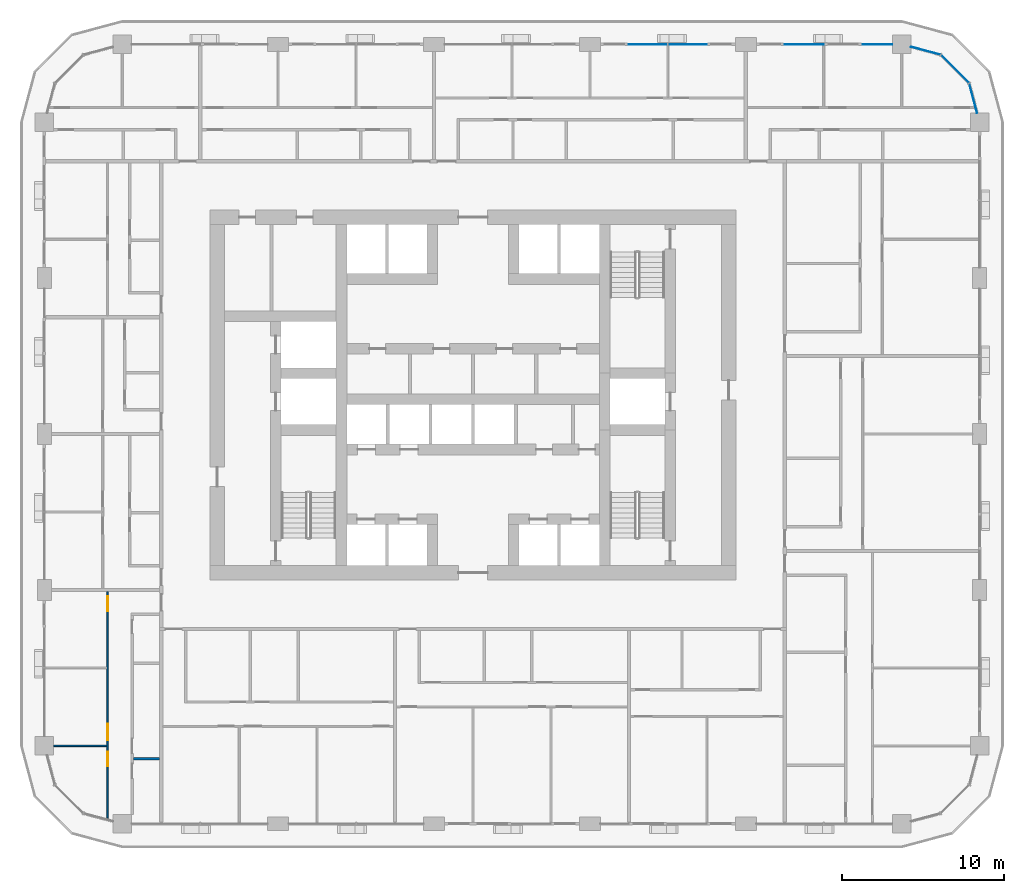
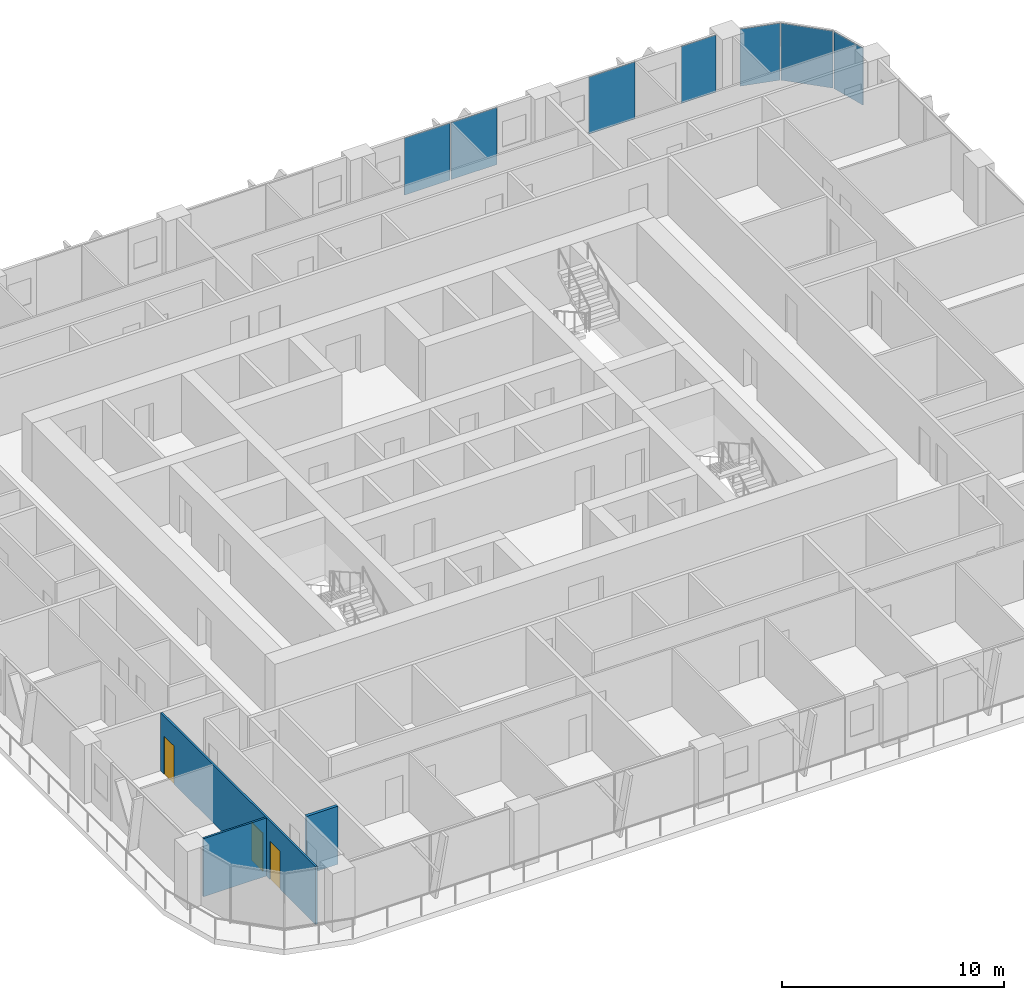
# One storey, part 8 of 22: 7 plates, 3 doors, 3 walls, 3 openings, 3 elements without a shape of their own.
"""IFC4 building model written with IfcOpenShell, lengths in metres."""

from ifc_helpers import new_model, si_unit, direction, frame, frame_2d, origin, origin_2d, place, context, subcontext, project, spatial, rectangle, extrude, material, layer, layer_set, type_object, element, fill, aggregate, save


model = new_model("IFC4")

# Units and contexts
model_context = context("Model", 3, precision=1e-05, world=origin(), true_north=direction((0.0, 1.0)))
body_context = subcontext(model_context, "Body", "Model", "MODEL_VIEW")
ifc_project = project(units=[si_unit("LENGTHUNIT", "METRE"), si_unit("AREAUNIT", "SQUARE_METRE"), si_unit("VOLUMEUNIT", "CUBIC_METRE"), si_unit("PLANEANGLEUNIT", "RADIAN"), si_unit("MASSUNIT", "GRAM", prefix="KILO")], contexts=[model_context])

# Site, building, storey
site_placement = place(None, origin())
site = spatial("IfcSite", under=ifc_project, at=site_placement, CompositionType="ELEMENT")
building_placement = place(site_placement, origin())
building = spatial("IfcBuilding", under=site, at=building_placement, Name="Madar Terraces", CompositionType="ELEMENT")
storey_placement = place(building_placement, frame((0.0, 0.0, 59.300048828125)))
storey = spatial("IfcBuildingStorey", under=building, at=storey_placement, Name="L14", CompositionType="ELEMENT", Elevation=59.300048828125)

# Curtain wall, plates
ifc_material_1 = material(Name="Glass, ceramic frit dark grey, with black aluminium frame", Category="aluminium")
ifc_layer_1 = layer(ifc_material_1, 0.199951171875)
ifc_layer_set_1 = layer_set([ifc_layer_1], Name="Facade curtain wall, fritted glass")
curtain_wall_type = type_object("IfcCurtainWallType", Name="Facade curtain wall, fritted glass", PredefinedType="NOTDEFINED", material=ifc_layer_set_1)
curtain_wall_1_placement = place(storey_placement, origin())
curtain_wall_1 = element("IfcCurtainWall", 1, at=curtain_wall_1_placement, inside=storey, type_object=curtain_wall_type, Name="Outer skin curtain wall north bay 1", PredefinedType="NOTDEFINED")
ifc_material_2 = material(Name="Glass, ceramic frit dark grey", Category="glass")
ifc_layer_2 = layer(ifc_material_2, 0.028076171875)
ifc_layer_set_2 = layer_set([ifc_layer_2], Name="Facade glass panel 28")
plate_type = type_object("IfcPlateType", Name="Facade glass panel 28", PredefinedType="CURTAIN_PANEL", material=ifc_layer_set_2)
plate_1_placement = place(storey_placement, frame((56.112548828125, 48.0, 0.0), z_axis=(0.0, 0.0, 1.0), x_axis=(-1.0, 0.0, 0.0)))
plate_1 = element("IfcPlate", 2, at=plate_1_placement, type_object=plate_type, Name="Panel 1", PredefinedType="CURTAIN_PANEL", context=body_context, shape_type="SweptSolid", body=[
    extrude(rectangle(XDim=1.824951171875, YDim=0.028076171875, at=origin_2d()), origin(), (0.0, 0.0, 1.0), 3.139892578125),
])
plate_2_placement = place(storey_placement, frame((51.60009765625, 48.0, 0.0), z_axis=(0.0, 0.0, 1.0), x_axis=(-1.0, 0.0, 0.0)))
plate_2 = element("IfcPlate", 3, at=plate_2_placement, type_object=plate_type, Name="Panel 2", PredefinedType="CURTAIN_PANEL", context=body_context, shape_type="SweptSolid", body=[
    extrude(rectangle(XDim=2.39990234375, YDim=0.028076171875, at=origin_2d()), origin(), (0.0, 0.0, 1.0), 3.139892578125),
])
aggregate(curtain_wall_1, [plate_1, plate_2])

curtain_wall_2_placement = place(storey_placement, origin())
curtain_wall_2 = element("IfcCurtainWall", 4, at=curtain_wall_2_placement, inside=storey, type_object=curtain_wall_type, Name="Outer skin curtain wall north bay 2", PredefinedType="NOTDEFINED")
plate_3_placement = place(storey_placement, frame((44.4150390625, 48.0, 0.0), z_axis=(0.0, 0.0, 1.0), x_axis=(-1.0, 0.0, 0.0)))
plate_3 = element("IfcPlate", 5, at=plate_3_placement, type_object=plate_type, Name="Panel 1", PredefinedType="CURTAIN_PANEL", context=body_context, shape_type="SweptSolid", body=[
    extrude(rectangle(XDim=2.3701171875, YDim=0.028076171875, at=origin_2d()), origin(), (0.0, 0.0, 1.0), 3.139892578125),
])
plate_4_placement = place(storey_placement, frame((41.985107421875, 48.0, 0.0), z_axis=(0.0, 0.0, 1.0), x_axis=(-1.0, 0.0, 0.0)))
plate_4 = element("IfcPlate", 6, at=plate_4_placement, type_object=plate_type, Name="Panel 2", PredefinedType="CURTAIN_PANEL", context=body_context, shape_type="SweptSolid", body=[
    extrude(rectangle(XDim=2.3701171875, YDim=0.028076171875, at=origin_2d()), origin(), (0.0, 0.0, 1.0), 3.139892578125),
])
aggregate(curtain_wall_2, [plate_3, plate_4])

curtain_wall_3_placement = place(storey_placement, origin())
curtain_wall_3 = element("IfcCurtainWall", 7, at=curtain_wall_3_placement, inside=storey, type_object=curtain_wall_type, Name="Outer skin curtain wall north-east corner", PredefinedType="NOTDEFINED")
plate_5_placement = place(storey_placement, frame((62.00537109375, 44.673095703125, 0.0), z_axis=(0.0, 0.0, 1.0), x_axis=(-0.258819021888, 0.965925832509, 0.0)))
plate_5 = element("IfcPlate", 8, at=plate_5_placement, type_object=plate_type, Name="Panel 1", PredefinedType="CURTAIN_PANEL", context=body_context, shape_type="SweptSolid", body=[
    extrude(rectangle(XDim=1.859375, YDim=0.028076171875, at=origin_2d()), origin(), (0.0, 0.0, 1.0), 3.139892578125),
])
plate_6_placement = place(storey_placement, frame((60.87841796875, 46.478515625, 0.0), z_axis=(0.0, 0.0, 1.0), x_axis=(-0.707106781187, 0.707106781187, 0.0)))
plate_6 = element("IfcPlate", 9, at=plate_6_placement, type_object=plate_type, Name="Panel 2", PredefinedType="CURTAIN_PANEL", context=body_context, shape_type="SweptSolid", body=[
    extrude(rectangle(XDim=2.424560546875, YDim=0.028076171875, at=origin_2d()), origin(), (0.0, 0.0, 1.0), 3.139892578125),
])
plate_7_placement = place(storey_placement, frame((59.072998046875, 47.605224609375, 0.0), z_axis=(0.0, 0.0, 1.0), x_axis=(-0.965925832509, 0.258819021888, 0.0)))
plate_7 = element("IfcPlate", 10, at=plate_7_placement, type_object=plate_type, Name="Panel 3", PredefinedType="CURTAIN_PANEL", context=body_context, shape_type="SweptSolid", body=[
    extrude(rectangle(XDim=1.859375, YDim=0.028076171875, at=origin_2d()), origin(), (0.0, 0.0, 1.0), 3.139892578125),
])
aggregate(curtain_wall_3, [plate_5, plate_6, plate_7])

# Wall
ifc_material_3 = material(Name="Gypsum board on steel studs", Category="steel")
ifc_layer_3 = layer(ifc_material_3, 0.10009765625)
ifc_layer_set_3 = layer_set([ifc_layer_3], Name="Flat partition 100")
wall_type_1 = type_object("IfcWallType", Name="Flat partition 100", PredefinedType="PARTITIONING", material=ifc_layer_set_3)
wall_1_placement = place(storey_placement, frame((8.64990234375, 4.800048828125, 0.0), z_axis=(0.0, 0.0, 1.0), x_axis=(-1.0, 0.0, 0.0)))
element("IfcWall", 11, at=wall_1_placement, inside=storey, type_object=wall_type_1, Name="Flat partition 100", PredefinedType="PARTITIONING", context=body_context, shape_type="SweptSolid", body=[
    extrude(rectangle(XDim=3.27490234375, YDim=0.10009765625, at=frame_2d((1.637451171875, 0.0))), origin(), (0.0, 0.0, 1.0), 3.199951171875),
])

# Wall, openings, doors
wall_2_placement = place(storey_placement, frame((8.699951171875, 0.34130859375, 0.0), z_axis=(0.0, 0.0, 1.0), x_axis=(0.0, 1.0, 0.0)))
wall_2 = element("IfcWall", 12, at=wall_2_placement, inside=storey, type_object=wall_type_1, Name="Flat partition 100", PredefinedType="PARTITIONING", context=body_context, shape_type="SweptSolid", body=[
    extrude(rectangle(XDim=13.958740234375, YDim=0.10009765625, at=frame_2d((6.9794921875, 0.0))), origin(), (0.0, 0.0, 1.0), 3.199951171875),
])
opening_1_placement = place(wall_2_placement, frame((12.7587890625, 0.0, 0.0)))
opening_1 = element("IfcOpeningElement", 13, at=opening_1_placement, cuts=wall_2, Name="Opening D2", PredefinedType="OPENING", context=body_context, shape_type="SweptSolid", body=[
    extrude(rectangle(XDim=0.89990234375, YDim=2.10009765625, at=frame_2d((0.449951171875, 1.050048828125))), frame((0.0, 0.06005859375, 0.0), z_axis=(0.0, -1.0, 0.0), x_axis=(1.0, 0.0, 0.0)), (0.0, 0.0, 1.0), 0.1201171875),
])
opening_2_placement = place(wall_2_placement, frame((4.808837890625, 0.0, 0.0)))
opening_2 = element("IfcOpeningElement", 14, at=opening_2_placement, cuts=wall_2, Name="Opening D3", PredefinedType="OPENING", context=body_context, shape_type="SweptSolid", body=[
    extrude(rectangle(XDim=1.0, YDim=2.10009765625, at=frame_2d((0.5, 1.050048828125))), frame((0.0, 0.06005859375, 0.0), z_axis=(0.0, -1.0, 0.0), x_axis=(1.0, 0.0, 0.0)), (0.0, 0.0, 1.0), 0.1201171875),
])
opening_3_placement = place(wall_2_placement, frame((3.208740234375, 0.0, 0.0)))
opening_3 = element("IfcOpeningElement", 15, at=opening_3_placement, cuts=wall_2, Name="Opening D2", PredefinedType="OPENING", context=body_context, shape_type="SweptSolid", body=[
    extrude(rectangle(XDim=0.89990234375, YDim=2.10009765625, at=frame_2d((0.449951171875, 1.050048828125))), frame((0.0, 0.06005859375, 0.0), z_axis=(0.0, -1.0, 0.0), x_axis=(1.0, 0.0, 0.0)), (0.0, 0.0, 1.0), 0.1201171875),
])
ifc_material_4 = material(Name="Timber door leaf", Category="wood")
door_type_1 = type_object("IfcDoorType", Name="Flat living room door 1000", OperationType="NOTDEFINED", PredefinedType="DOOR", material=ifc_material_4)
door_1_placement = place(opening_2_placement, origin())
door_1 = element("IfcDoor", 16, at=door_1_placement, inside=storey, type_object=door_type_1, Name="Flat living room door 1000", OperationType="SINGLE_SWING_LEFT", OverallHeight=2.10009765625, OverallWidth=1.0, PredefinedType="DOOR", context=body_context, shape_type="SweptSolid", body=[
    extrude(rectangle(XDim=1.0, YDim=2.10009765625, at=frame_2d((0.5, 1.050048828125))), frame((0.0, 0.02490234375, 0.0), z_axis=(0.0, -1.0, 0.0), x_axis=(1.0, 0.0, 0.0)), (0.0, 0.0, 1.0), 0.050048828125),
])
fill(opening_2, door_1)
ifc_material_5 = material(Name="Timber door leaf", Category="wood")
door_type_2 = type_object("IfcDoorType", Name="Flat room door 900", OperationType="NOTDEFINED", PredefinedType="DOOR", material=ifc_material_5)
door_2_placement = place(opening_1_placement, origin())
door_2 = element("IfcDoor", 17, at=door_2_placement, inside=storey, type_object=door_type_2, Name="Flat room door 900", OperationType="SINGLE_SWING_RIGHT", OverallHeight=2.10009765625, OverallWidth=0.89990234375, PredefinedType="DOOR", context=body_context, shape_type="SweptSolid", body=[
    extrude(rectangle(XDim=0.89990234375, YDim=2.10009765625, at=frame_2d((0.449951171875, 1.050048828125))), frame((0.0, 0.02490234375, 0.0), z_axis=(0.0, -1.0, 0.0), x_axis=(1.0, 0.0, 0.0)), (0.0, 0.0, 1.0), 0.050048828125),
])
fill(opening_1, door_2)
door_3_placement = place(opening_3_placement, origin())
door_3 = element("IfcDoor", 18, at=door_3_placement, inside=storey, type_object=door_type_2, Name="Flat room door 900", OperationType="SINGLE_SWING_RIGHT", OverallHeight=2.10009765625, OverallWidth=0.89990234375, PredefinedType="DOOR", context=body_context, shape_type="SweptSolid", body=[
    extrude(rectangle(XDim=0.89990234375, YDim=2.10009765625, at=frame_2d((0.449951171875, 1.050048828125))), frame((0.0, 0.02490234375, 0.0), z_axis=(0.0, -1.0, 0.0), x_axis=(1.0, 0.0, 0.0)), (0.0, 0.0, 1.0), 0.050048828125),
])
fill(opening_3, door_3)

# Wall
ifc_material_6 = material(Name="Lightweight blockwork", Category="masonry")
ifc_layer_4 = layer(ifc_material_6, 0.14990234375)
ifc_layer_set_4 = layer_set([ifc_layer_4], Name="Flat wet-room partition 150")
wall_type_2 = type_object("IfcWallType", Name="Flat wet-room partition 150", PredefinedType="PARTITIONING", material=ifc_layer_set_4)
wall_3_placement = place(storey_placement, frame((11.89990234375, 4.015380859375, 0.0), z_axis=(0.0, 0.0, 1.0), x_axis=(-1.0, 0.0, 0.0)))
element("IfcWall", 19, at=wall_3_placement, inside=storey, type_object=wall_type_2, Name="Flat wet-room partition 150", PredefinedType="PARTITIONING", context=body_context, shape_type="SweptSolid", body=[
    extrude(rectangle(XDim=1.625, YDim=0.14990234375, at=frame_2d((0.8125, 0.0))), origin(), (0.0, 0.0, 1.0), 3.199951171875),
])

save(model, "model.ifc")
